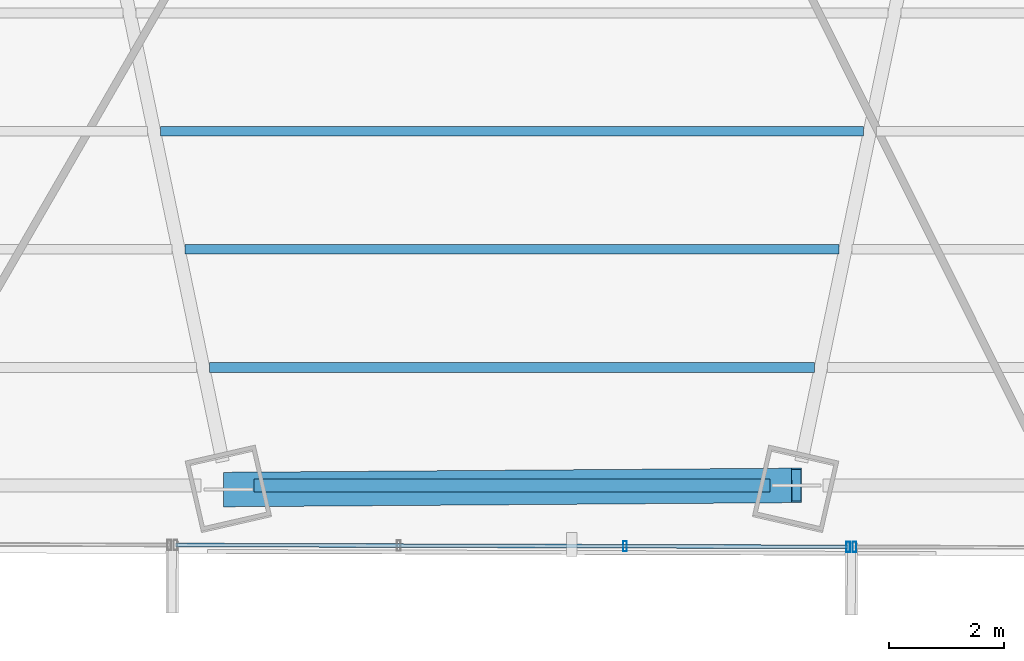
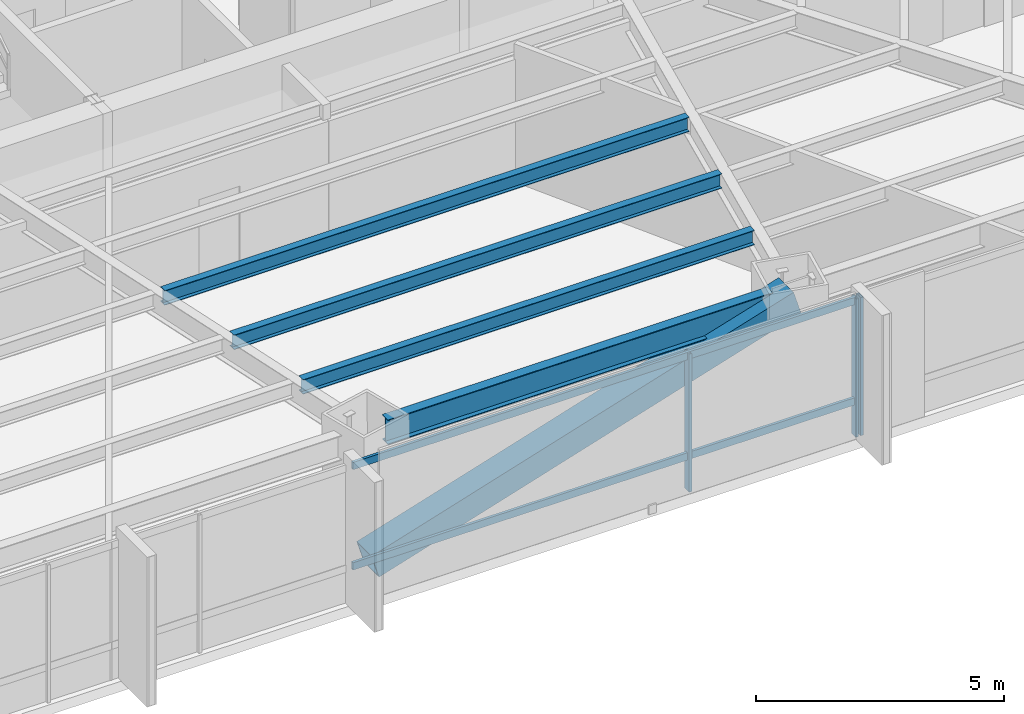
# One storey, part 6 of 33: 6 members, 4 beams, 2 elements without a shape of their own.
"""IFC4 building model written with IfcOpenShell, lengths in metres."""

from ifc_helpers import new_model, si_unit, direction, frame, origin, origin_2d, place, context, subcontext, project, spatial, hollow_rectangle, i_section, extrude, source, transform, mapped, material, material_profile, profile_set, type_object, type_shapes, element, aggregate, save


model = new_model("IFC4")

# Units and contexts
model_context = context("Model", 3, precision=1e-05, world=origin(), true_north=direction((0.0, 1.0)))
body_context = subcontext(model_context, "Body", "Model", "MODEL_VIEW")
ifc_project = project(units=[si_unit("LENGTHUNIT", "METRE"), si_unit("AREAUNIT", "SQUARE_METRE"), si_unit("VOLUMEUNIT", "CUBIC_METRE"), si_unit("PLANEANGLEUNIT", "RADIAN"), si_unit("MASSUNIT", "GRAM", prefix="KILO")], contexts=[model_context])

# Site, building, storey
site_placement = place(None, origin())
site = spatial("IfcSite", under=ifc_project, at=site_placement, CompositionType="ELEMENT")
building_placement = place(site_placement, origin())
building = spatial("IfcBuilding", under=site, at=building_placement, Name="Caelisora Broadcast Tower", CompositionType="ELEMENT")
storey_placement = place(building_placement, frame((0.0, 0.0, 38.550048828125)))
storey = spatial("IfcBuildingStorey", under=building, at=storey_placement, Name="L09", CompositionType="ELEMENT", Elevation=38.550048828125)

# Beams
ifc_material_1 = material(Name="Steel Grade 350 (AS/NZS 3679.1)", Category="steel")
ifc_material_profile_1 = material_profile(ifc_material_1, i_section(OverallWidth=0.22900390625, OverallDepth=0.611572265625, WebThickness=0.011962890625, FlangeThickness=0.01953125, at=origin_2d()), Name="Steel Grade 350 (AS/NZS 3679.1)")
ifc_profile_set_1 = profile_set([ifc_material_profile_1], Name="Steel Grade 350 (AS/NZS 3679.1)")
beam_type_1 = type_object("IfcBeamType", Name="PG03", PredefinedType="BEAM", material=ifc_profile_set_1)
shared_shape_1 = source(origin(), body_context, "Body", "SweptSolid", [
    extrude(i_section(OverallWidth=0.22900390625, OverallDepth=0.611572265625, WebThickness=0.011962890625, FlangeThickness=0.01953125, at=origin_2d()), origin(), (0.0, 0.0, 1.0), 8.9658203125),
])
type_shapes(beam_type_1, [shared_shape_1])
beam_1_placement = place(storey_placement, frame((33.51708984375, 5.089111328125, 3.09423828125), z_axis=(1.0, 0.0, 0.0), x_axis=(0.0, 1.0, 0.0)))
element("IfcBeam", 1, at=beam_1_placement, inside=storey, type_object=beam_type_1, Name="L09 beam PG03", PredefinedType="BEAM", context=body_context, shape_type="MappedRepresentation", body=[
    mapped(shared_shape_1, transform((0.0, 0.0, 0.0), scale=1.0)),
])
ifc_material_profile_2 = material_profile(ifc_material_1, i_section(OverallWidth=0.172119140625, OverallDepth=0.358642578125, WebThickness=0.008056640625, FlangeThickness=0.012939453125, at=origin_2d()), Name="Steel Grade 350 (AS/NZS 3679.1)")
ifc_profile_set_2 = profile_set([ifc_material_profile_2], Name="Steel Grade 350 (AS/NZS 3679.1)")
beam_type_2 = type_object("IfcBeamType", Name="SB02", PredefinedType="JOIST", material=ifc_profile_set_2)
shared_shape_2 = source(origin(), body_context, "Body", "SweptSolid", [
    extrude(i_section(OverallWidth=0.172119140625, OverallDepth=0.358642578125, WebThickness=0.008056640625, FlangeThickness=0.012939453125, at=origin_2d()), origin(), (0.0, 0.0, 1.0), 12.21630859375),
])
beam_2_placement = place(storey_placement, frame((31.891845703125, 11.24462890625, 3.220703125), z_axis=(1.0, 0.0, 0.0), x_axis=(0.0, 1.0, 0.0)))
element("IfcBeam", 2, at=beam_2_placement, inside=storey, type_object=beam_type_2, Name="L09 beam SB02", PredefinedType="JOIST", context=body_context, shape_type="MappedRepresentation", body=[
    mapped(shared_shape_2, transform((0.0, 0.0, 0.0), scale=1.0)),
])
shared_shape_3 = source(origin(), body_context, "Body", "SweptSolid", [
    extrude(i_section(OverallWidth=0.172119140625, OverallDepth=0.358642578125, WebThickness=0.008056640625, FlangeThickness=0.012939453125, at=origin_2d()), origin(), (0.0, 0.0, 1.0), 11.36376953125),
])
beam_3_placement = place(storey_placement, frame((32.318115234375, 9.19287109375, 3.220703125), z_axis=(1.0, 0.0, 0.0), x_axis=(0.0, 1.0, 0.0)))
element("IfcBeam", 3, at=beam_3_placement, inside=storey, type_object=beam_type_2, Name="L09 beam SB02", PredefinedType="JOIST", context=body_context, shape_type="MappedRepresentation", body=[
    mapped(shared_shape_3, transform((0.0, 0.0, 0.0), scale=1.0)),
])
shared_shape_4 = source(origin(), body_context, "Body", "SweptSolid", [
    extrude(i_section(OverallWidth=0.172119140625, OverallDepth=0.358642578125, WebThickness=0.008056640625, FlangeThickness=0.012939453125, at=origin_2d()), origin(), (0.0, 0.0, 1.0), 10.51171875),
])
type_shapes(beam_type_2, [shared_shape_2, shared_shape_3, shared_shape_4])
beam_4_placement = place(storey_placement, frame((32.744140625, 7.14111328125, 3.220703125), z_axis=(1.0, 0.0, 0.0), x_axis=(0.0, 1.0, 0.0)))
element("IfcBeam", 4, at=beam_4_placement, inside=storey, type_object=beam_type_2, Name="L09 beam SB02", PredefinedType="JOIST", context=body_context, shape_type="MappedRepresentation", body=[
    mapped(shared_shape_4, transform((0.0, 0.0, 0.0), scale=1.0)),
])

# Member
ifc_material_2 = material(Name="Steel Grade 450 L15 (AS/NZS 3678)", Category="steel")
ifc_material_profile_3 = material_profile(ifc_material_2, hollow_rectangle(XDim=0.60009765625, YDim=0.60009765625, WallThickness=0.02490234375, at=origin_2d()), Name="Steel Grade 450 L15 (AS/NZS 3678)")
ifc_profile_set_3 = profile_set([ifc_material_profile_3], Name="Steel Grade 450 L15 (AS/NZS 3678)")
member_type_1 = type_object("IfcMemberType", Name="BR01", PredefinedType="BRACE", material=ifc_profile_set_3)
shared_shape_5 = source(origin(), body_context, "Body", "SweptSolid", [
    extrude(hollow_rectangle(XDim=0.60009765625, YDim=0.60009765625, WallThickness=0.02490234375, at=origin_2d()), origin(), (0.0, 0.0, 1.0), 10.315673828125),
])
type_shapes(member_type_1, [shared_shape_5])
member_1_placement = place(storey_placement, frame((33.073486328125, 5.016845703125, 0.099853515625), z_axis=(0.956752956891, 0.007005364746, 0.290817304068), x_axis=(-0.007321824216, 0.999973195086, 0.0)))
element("IfcMember", 5, at=member_1_placement, inside=storey, type_object=member_type_1, Name="L09 perimeter brace BR01", PredefinedType="BRACE", context=body_context, shape_type="MappedRepresentation", body=[
    mapped(shared_shape_5, transform((0.0, 0.0, 0.0), scale=1.0)),
])

# Curtain wall, member
ifc_material_3 = material(Name="Unitised Aluminium and Low-E Glass Curtain Wall", Category="glass")
curtain_wall_type_1 = type_object("IfcCurtainWallType", Name="CW-Z1", PredefinedType="NOTDEFINED", material=ifc_material_3)
curtain_wall_1_placement = place(storey_placement, origin())
curtain_wall_1 = element("IfcCurtainWall", 6, at=curtain_wall_1_placement, inside=storey, type_object=curtain_wall_type_1, Name="L09 curtain wall CW-Z1", PredefinedType="NOTDEFINED")
ifc_material_4 = material(Name="Aluminium 6063-T6 Anodised Terracotta Bronze", Category="aluminium")
ifc_material_profile_4 = material_profile(ifc_material_4, hollow_rectangle(XDim=0.06494140625, YDim=0.179931640625, WallThickness=0.00341796875, at=origin_2d()), Name="Aluminium 6063-T6 Anodised Terracotta Bronze")
ifc_profile_set_4 = profile_set([ifc_material_profile_4], Name="Aluminium 6063-T6 Anodised Terracotta Bronze")
member_type_2 = type_object("IfcMemberType", Name="CWM-02", PredefinedType="MULLION", material=ifc_profile_set_4)
shared_shape_6 = source(origin(), body_context, "Body", "SweptSolid", [
    extrude(hollow_rectangle(XDim=0.06494140625, YDim=0.179931640625, WallThickness=0.00341796875, at=origin_2d()), origin(), (0.0, 0.0, 1.0), 3.39990234375),
])
type_shapes(member_type_2, [shared_shape_6])
member_2_placement = place(storey_placement, frame((43.953857421875, 4.020263671875, 0.0), z_axis=(0.0, 0.0, 1.0), x_axis=(1.0, 0.0, 0.0)))
member_2 = element("IfcMember", 7, at=member_2_placement, type_object=member_type_2, Name="L09-CW-B05 mullion #3", PredefinedType="MULLION", context=body_context, shape_type="MappedRepresentation", body=[
    mapped(shared_shape_6, transform((0.0, 0.0, 0.0), scale=1.0)),
])
aggregate(curtain_wall_1, [member_2])

# Curtain wall, members
ifc_material_5 = material(Name="Unitised Aluminium Insulated Shadow-Box Spandrel Curtain Wall", Category="aluminium")
curtain_wall_type_2 = type_object("IfcCurtainWallType", Name="CW-SP1", PredefinedType="NOTDEFINED", material=ifc_material_5)
curtain_wall_2_placement = place(storey_placement, origin())
curtain_wall_2 = element("IfcCurtainWall", 8, at=curtain_wall_2_placement, inside=storey, type_object=curtain_wall_type_2, Name="L09 curtain wall CW-SP1", PredefinedType="NOTDEFINED")
member_3_placement = place(storey_placement, frame((43.84375, 4.0205078125, 0.0), z_axis=(0.0, 0.0, 1.0), x_axis=(1.0, 0.0, 0.0)))
member_3 = element("IfcMember", 9, at=member_3_placement, type_object=member_type_2, Name="L09-CW-B06 mullion #0", PredefinedType="MULLION", context=body_context, shape_type="MappedRepresentation", body=[
    mapped(shared_shape_6, transform((0.0, 0.0, 0.0), scale=1.0)),
])
member_4_placement = place(storey_placement, frame((39.962890625, 4.031494140625, 0.0), z_axis=(0.0, 0.0, 1.0), x_axis=(1.0, 0.0, 0.0)))
member_4 = element("IfcMember", 10, at=member_4_placement, type_object=member_type_2, Name="L09-CW-B06 mullion #1", PredefinedType="MULLION", context=body_context, shape_type="MappedRepresentation", body=[
    mapped(shared_shape_6, transform((0.0, 0.0, 0.0), scale=1.0)),
])
ifc_material_profile_5 = material_profile(ifc_material_4, hollow_rectangle(XDim=0.06494140625, YDim=0.179931640625, WallThickness=0.00341796875, at=origin_2d()), Name="Aluminium 6063-T6 Anodised Terracotta Bronze")
ifc_profile_set_5 = profile_set([ifc_material_profile_5], Name="Aluminium 6063-T6 Anodised Terracotta Bronze")
member_type_3 = type_object("IfcMemberType", Name="CWT-01", PredefinedType="USERDEFINED", material=ifc_profile_set_5)
shared_shape_7 = source(origin(), body_context, "Body", "SweptSolid", [
    extrude(hollow_rectangle(XDim=0.06494140625, YDim=0.179931640625, WallThickness=0.00341796875, at=origin_2d()), origin(), (0.0, 0.0, 1.0), 11.693115234375),
])
type_shapes(member_type_3, [shared_shape_7])
member_5_placement = place(storey_placement, frame((43.84375, 4.0205078125, 0.849853515625), z_axis=(-0.999996086217, 0.002797775875, 0.0), x_axis=(-0.002797775875, -0.999996086217, 0.0)))
member_5 = element("IfcMember", 11, at=member_5_placement, type_object=member_type_3, Name="L09-CW-B06 transom #1", ObjectType="TRANSOM", PredefinedType="USERDEFINED", context=body_context, shape_type="MappedRepresentation", body=[
    mapped(shared_shape_7, transform((0.0, 0.0, 0.0), scale=1.0)),
])
member_6_placement = place(storey_placement, frame((43.84375, 4.0205078125, 3.320068359375), z_axis=(-0.999996086217, 0.002797775875, 0.0), x_axis=(-0.002797775875, -0.999996086217, 0.0)))
member_6 = element("IfcMember", 12, at=member_6_placement, type_object=member_type_3, Name="L09-CW-B06 transom #2", ObjectType="TRANSOM", PredefinedType="USERDEFINED", context=body_context, shape_type="MappedRepresentation", body=[
    mapped(shared_shape_7, transform((0.0, 0.0, 0.0), scale=1.0)),
])
aggregate(curtain_wall_2, [member_3, member_4, member_5, member_6])

save(model, "model.ifc")
